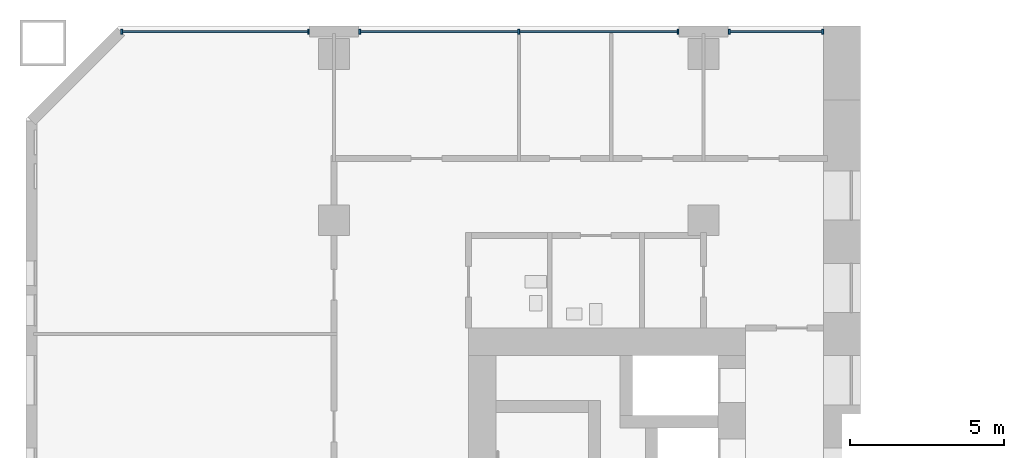
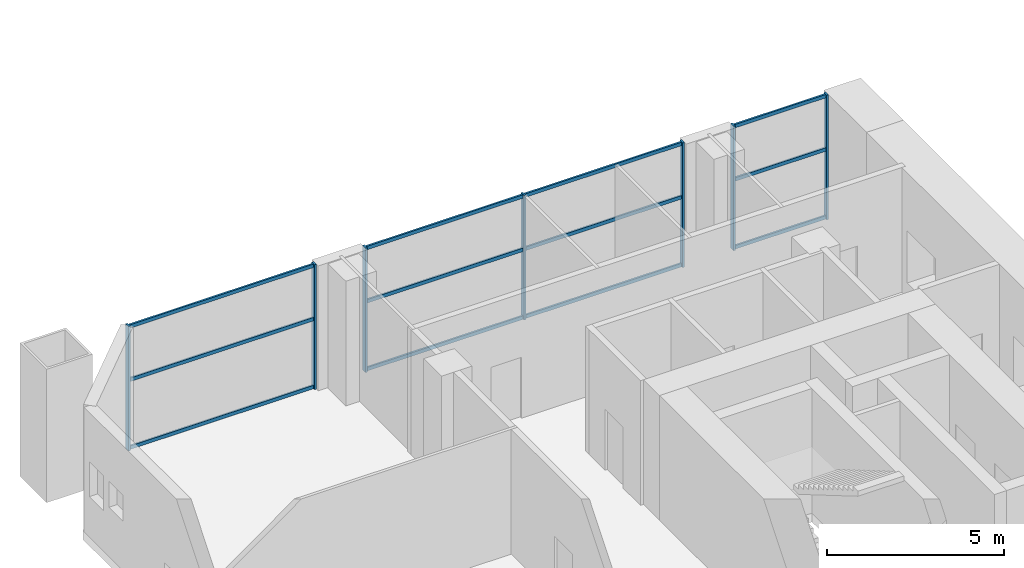
# One storey, part 3 of 21: 19 members, 3 elements without a shape of their own.
"""IFC4 building model written with IfcOpenShell, lengths in metres."""

from ifc_helpers import new_model, si_unit, direction, frame, origin, origin_2d, place, context, subcontext, project, spatial, rectangle, extrude, material, material_profile, profile_set, type_object, element, aggregate, save


model = new_model("IFC4")

# Units and contexts
model_context = context("Model", 3, precision=1e-05, world=origin(), true_north=direction((0.0, 1.0)))
body_context = subcontext(model_context, "Body", "Model", "MODEL_VIEW")
ifc_project = project(units=[si_unit("LENGTHUNIT", "METRE"), si_unit("AREAUNIT", "SQUARE_METRE"), si_unit("VOLUMEUNIT", "CUBIC_METRE"), si_unit("PLANEANGLEUNIT", "RADIAN"), si_unit("MASSUNIT", "GRAM", prefix="KILO")], contexts=[model_context])

# Site, building, storey
site_placement = place(None, origin())
site = spatial("IfcSite", under=ifc_project, at=site_placement, CompositionType="ELEMENT")
building_placement = place(site_placement, origin())
building = spatial("IfcBuilding", under=site, at=building_placement, Name="Tuart Gate Housing", CompositionType="ELEMENT")
storey_placement = place(building_placement, frame((0.0, 0.0, 5.5)))
storey = spatial("IfcBuildingStorey", under=building, at=storey_placement, Name="L01", CompositionType="ELEMENT", Elevation=5.5)

# Curtain wall, members
ifc_material_1 = material(Name="Aluminium and clear glass", Category="aluminium")
curtain_wall_type = type_object("IfcCurtainWallType", Name="Podium health glazing", PredefinedType="USERDEFINED", material=ifc_material_1)
curtain_wall_1_placement = place(storey_placement, origin())
curtain_wall_1 = element("IfcCurtainWall", 1, at=curtain_wall_1_placement, inside=storey, type_object=curtain_wall_type, Name="Podium health glazing A-N L01", ObjectType="PODIUM HEALTH GLAZING", PredefinedType="USERDEFINED")
ifc_material_2 = material(Name="Anodised aluminium", Category="aluminium")
ifc_material_profile_1 = material_profile(ifc_material_2, rectangle(XDim=0.06005859375, YDim=0.159912109375, at=origin_2d()), Name="60x160")
ifc_profile_set_1 = profile_set([ifc_material_profile_1], Name="Anodised aluminium")
member_type_1 = type_object("IfcMemberType", Name="Mullion 60 x 160", PredefinedType="MULLION", material=ifc_profile_set_1)
member_1_placement = place(storey_placement, frame((43.8701171875, 85.820068359375, 0.0), z_axis=(0.0, 0.0, 1.0), x_axis=(-1.0, 0.0, 0.0)))
member_1 = element("IfcMember", 2, at=member_1_placement, type_object=member_type_1, Name="CW1 mullion 1", PredefinedType="MULLION", context=body_context, shape_type="SweptSolid", body=[
    extrude(rectangle(XDim=0.06005859375, YDim=0.159912109375, at=origin_2d()), origin(), (0.0, 0.0, 1.0), 4.300048828125),
])
member_2_placement = place(storey_placement, frame((40.830078125, 85.820068359375, 0.0), z_axis=(0.0, 0.0, 1.0), x_axis=(-1.0, 0.0, 0.0)))
member_2 = element("IfcMember", 3, at=member_2_placement, type_object=member_type_1, Name="CW1 mullion 2", PredefinedType="MULLION", context=body_context, shape_type="SweptSolid", body=[
    extrude(rectangle(XDim=0.06005859375, YDim=0.159912109375, at=origin_2d()), origin(), (0.0, 0.0, 1.0), 4.300048828125),
])

curtain_wall_2_placement = place(storey_placement, origin())
curtain_wall_2 = element("IfcCurtainWall", 4, at=curtain_wall_2_placement, inside=storey, type_object=curtain_wall_type, Name="Podium health glazing A-N L01", ObjectType="PODIUM HEALTH GLAZING", PredefinedType="USERDEFINED")
member_3_placement = place(storey_placement, frame((39.169921875, 85.820068359375, 0.0), z_axis=(0.0, 0.0, 1.0), x_axis=(-1.0, 0.0, 0.0)))
member_3 = element("IfcMember", 5, at=member_3_placement, type_object=member_type_1, Name="CW1 mullion 1", PredefinedType="MULLION", context=body_context, shape_type="SweptSolid", body=[
    extrude(rectangle(XDim=0.06005859375, YDim=0.159912109375, at=origin_2d()), origin(), (0.0, 0.0, 1.0), 4.300048828125),
])
member_4_placement = place(storey_placement, frame((34.0, 85.820068359375, 0.0), z_axis=(0.0, 0.0, 1.0), x_axis=(-1.0, 0.0, 0.0)))
member_4 = element("IfcMember", 6, at=member_4_placement, type_object=member_type_1, Name="CW1 mullion 2", PredefinedType="MULLION", context=body_context, shape_type="SweptSolid", body=[
    extrude(rectangle(XDim=0.06005859375, YDim=0.159912109375, at=origin_2d()), origin(), (0.0, 0.0, 1.0), 4.300048828125),
])
member_5_placement = place(storey_placement, frame((28.830078125, 85.820068359375, 0.0), z_axis=(0.0, 0.0, 1.0), x_axis=(-1.0, 0.0, 0.0)))
member_5 = element("IfcMember", 7, at=member_5_placement, type_object=member_type_1, Name="CW1 mullion 3", PredefinedType="MULLION", context=body_context, shape_type="SweptSolid", body=[
    extrude(rectangle(XDim=0.06005859375, YDim=0.159912109375, at=origin_2d()), origin(), (0.0, 0.0, 1.0), 4.300048828125),
])

curtain_wall_3_placement = place(storey_placement, origin())
curtain_wall_3 = element("IfcCurtainWall", 8, at=curtain_wall_3_placement, inside=storey, type_object=curtain_wall_type, Name="Podium health glazing A-N L01", ObjectType="PODIUM HEALTH GLAZING", PredefinedType="USERDEFINED")
member_6_placement = place(storey_placement, frame((27.169921875, 85.820068359375, 0.0), z_axis=(0.0, 0.0, 1.0), x_axis=(-1.0, 0.0, 0.0)))
member_6 = element("IfcMember", 9, at=member_6_placement, type_object=member_type_1, Name="CW1 mullion 1", PredefinedType="MULLION", context=body_context, shape_type="SweptSolid", body=[
    extrude(rectangle(XDim=0.06005859375, YDim=0.159912109375, at=origin_2d()), origin(), (0.0, 0.0, 1.0), 4.300048828125),
])
member_7_placement = place(storey_placement, frame((21.1044921875, 85.820068359375, 0.0), z_axis=(0.0, 0.0, 1.0), x_axis=(-1.0, 0.0, 0.0)))
member_7 = element("IfcMember", 10, at=member_7_placement, type_object=member_type_1, Name="CW1 mullion 2", PredefinedType="MULLION", context=body_context, shape_type="SweptSolid", body=[
    extrude(rectangle(XDim=0.06005859375, YDim=0.159912109375, at=origin_2d()), origin(), (0.0, 0.0, 1.0), 4.300048828125),
])

# Member
ifc_material_3 = material(Name="Anodised aluminium", Category="aluminium")
ifc_material_profile_2 = material_profile(ifc_material_3, rectangle(XDim=0.06005859375, YDim=0.1201171875, at=origin_2d()), Name="60x120")
ifc_profile_set_2 = profile_set([ifc_material_profile_2], Name="Anodised aluminium")
member_type_2 = type_object("IfcMemberType", Name="Transom 60 x 120", PredefinedType="USERDEFINED", material=ifc_profile_set_2)
member_8_placement = place(storey_placement, frame((43.840087890625, 85.820068359375, 0.06005859375), z_axis=(-1.0, 0.0, 0.0), x_axis=(0.0, -1.0, 0.0)))
member_8 = element("IfcMember", 11, at=member_8_placement, type_object=member_type_2, Name="CW1 transom 1.1", ObjectType="TRANSOM", PredefinedType="USERDEFINED", context=body_context, shape_type="SweptSolid", body=[
    extrude(rectangle(XDim=0.06005859375, YDim=0.1201171875, at=origin_2d()), origin(), (0.0, 0.0, 1.0), 2.97998046875),
])

member_9_placement = place(storey_placement, frame((43.840087890625, 85.820068359375, 2.39990234375), z_axis=(-1.0, 0.0, 0.0), x_axis=(0.0, -1.0, 0.0)))
member_9 = element("IfcMember", 12, at=member_9_placement, type_object=member_type_2, Name="CW1 transom 1.2", ObjectType="TRANSOM", PredefinedType="USERDEFINED", context=body_context, shape_type="SweptSolid", body=[
    extrude(rectangle(XDim=0.06005859375, YDim=0.1201171875, at=origin_2d()), origin(), (0.0, 0.0, 1.0), 2.97998046875),
])

member_10_placement = place(storey_placement, frame((43.840087890625, 85.820068359375, 4.239990234375), z_axis=(-1.0, 0.0, 0.0), x_axis=(0.0, -1.0, 0.0)))
member_10 = element("IfcMember", 13, at=member_10_placement, type_object=member_type_2, Name="CW1 transom 1.3", ObjectType="TRANSOM", PredefinedType="USERDEFINED", context=body_context, shape_type="SweptSolid", body=[
    extrude(rectangle(XDim=0.06005859375, YDim=0.1201171875, at=origin_2d()), origin(), (0.0, 0.0, 1.0), 2.97998046875),
])

aggregate(curtain_wall_1, [member_1, member_2, member_8, member_9, member_10])

member_11_placement = place(storey_placement, frame((39.139892578125, 85.820068359375, 0.06005859375), z_axis=(-1.0, 0.0, 0.0), x_axis=(0.0, -1.0, 0.0)))
member_11 = element("IfcMember", 14, at=member_11_placement, type_object=member_type_2, Name="CW1 transom 1.1", ObjectType="TRANSOM", PredefinedType="USERDEFINED", context=body_context, shape_type="SweptSolid", body=[
    extrude(rectangle(XDim=0.06005859375, YDim=0.1201171875, at=origin_2d()), origin(), (0.0, 0.0, 1.0), 5.10986328125),
])

member_12_placement = place(storey_placement, frame((39.139892578125, 85.820068359375, 2.39990234375), z_axis=(-1.0, 0.0, 0.0), x_axis=(0.0, -1.0, 0.0)))
member_12 = element("IfcMember", 15, at=member_12_placement, type_object=member_type_2, Name="CW1 transom 1.2", ObjectType="TRANSOM", PredefinedType="USERDEFINED", context=body_context, shape_type="SweptSolid", body=[
    extrude(rectangle(XDim=0.06005859375, YDim=0.1201171875, at=origin_2d()), origin(), (0.0, 0.0, 1.0), 5.10986328125),
])

member_13_placement = place(storey_placement, frame((39.139892578125, 85.820068359375, 4.239990234375), z_axis=(-1.0, 0.0, 0.0), x_axis=(0.0, -1.0, 0.0)))
member_13 = element("IfcMember", 16, at=member_13_placement, type_object=member_type_2, Name="CW1 transom 1.3", ObjectType="TRANSOM", PredefinedType="USERDEFINED", context=body_context, shape_type="SweptSolid", body=[
    extrude(rectangle(XDim=0.06005859375, YDim=0.1201171875, at=origin_2d()), origin(), (0.0, 0.0, 1.0), 5.10986328125),
])

member_14_placement = place(storey_placement, frame((33.969970703125, 85.820068359375, 0.06005859375), z_axis=(-1.0, 0.0, 0.0), x_axis=(0.0, -1.0, 0.0)))
member_14 = element("IfcMember", 17, at=member_14_placement, type_object=member_type_2, Name="CW1 transom 2.1", ObjectType="TRANSOM", PredefinedType="USERDEFINED", context=body_context, shape_type="SweptSolid", body=[
    extrude(rectangle(XDim=0.06005859375, YDim=0.1201171875, at=origin_2d()), origin(), (0.0, 0.0, 1.0), 5.10986328125),
])

member_15_placement = place(storey_placement, frame((33.969970703125, 85.820068359375, 2.39990234375), z_axis=(-1.0, 0.0, 0.0), x_axis=(0.0, -1.0, 0.0)))
member_15 = element("IfcMember", 18, at=member_15_placement, type_object=member_type_2, Name="CW1 transom 2.2", ObjectType="TRANSOM", PredefinedType="USERDEFINED", context=body_context, shape_type="SweptSolid", body=[
    extrude(rectangle(XDim=0.06005859375, YDim=0.1201171875, at=origin_2d()), origin(), (0.0, 0.0, 1.0), 5.10986328125),
])

member_16_placement = place(storey_placement, frame((33.969970703125, 85.820068359375, 4.239990234375), z_axis=(-1.0, 0.0, 0.0), x_axis=(0.0, -1.0, 0.0)))
member_16 = element("IfcMember", 19, at=member_16_placement, type_object=member_type_2, Name="CW1 transom 2.3", ObjectType="TRANSOM", PredefinedType="USERDEFINED", context=body_context, shape_type="SweptSolid", body=[
    extrude(rectangle(XDim=0.06005859375, YDim=0.1201171875, at=origin_2d()), origin(), (0.0, 0.0, 1.0), 5.10986328125),
])

aggregate(curtain_wall_2, [member_3, member_4, member_5, member_11, member_12, member_13, member_14, member_15, member_16])

member_17_placement = place(storey_placement, frame((27.139892578125, 85.820068359375, 0.06005859375), z_axis=(-1.0, 0.0, 0.0), x_axis=(0.0, -1.0, 0.0)))
member_17 = element("IfcMember", 20, at=member_17_placement, type_object=member_type_2, Name="CW1 transom 1.1", ObjectType="TRANSOM", PredefinedType="USERDEFINED", context=body_context, shape_type="SweptSolid", body=[
    extrude(rectangle(XDim=0.06005859375, YDim=0.1201171875, at=origin_2d()), origin(), (0.0, 0.0, 1.0), 6.00537109375),
])

member_18_placement = place(storey_placement, frame((27.139892578125, 85.820068359375, 2.39990234375), z_axis=(-1.0, 0.0, 0.0), x_axis=(0.0, -1.0, 0.0)))
member_18 = element("IfcMember", 21, at=member_18_placement, type_object=member_type_2, Name="CW1 transom 1.2", ObjectType="TRANSOM", PredefinedType="USERDEFINED", context=body_context, shape_type="SweptSolid", body=[
    extrude(rectangle(XDim=0.06005859375, YDim=0.1201171875, at=origin_2d()), origin(), (0.0, 0.0, 1.0), 6.00537109375),
])

member_19_placement = place(storey_placement, frame((27.139892578125, 85.820068359375, 4.239990234375), z_axis=(-1.0, 0.0, 0.0), x_axis=(0.0, -1.0, 0.0)))
member_19 = element("IfcMember", 22, at=member_19_placement, type_object=member_type_2, Name="CW1 transom 1.3", ObjectType="TRANSOM", PredefinedType="USERDEFINED", context=body_context, shape_type="SweptSolid", body=[
    extrude(rectangle(XDim=0.06005859375, YDim=0.1201171875, at=origin_2d()), origin(), (0.0, 0.0, 1.0), 6.00537109375),
])

aggregate(curtain_wall_3, [member_6, member_7, member_17, member_18, member_19])

save(model, "model.ifc")
